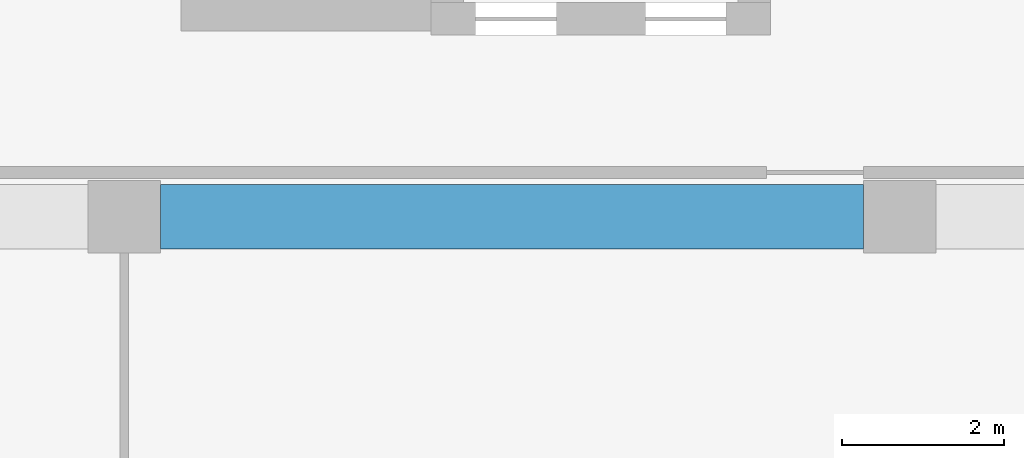
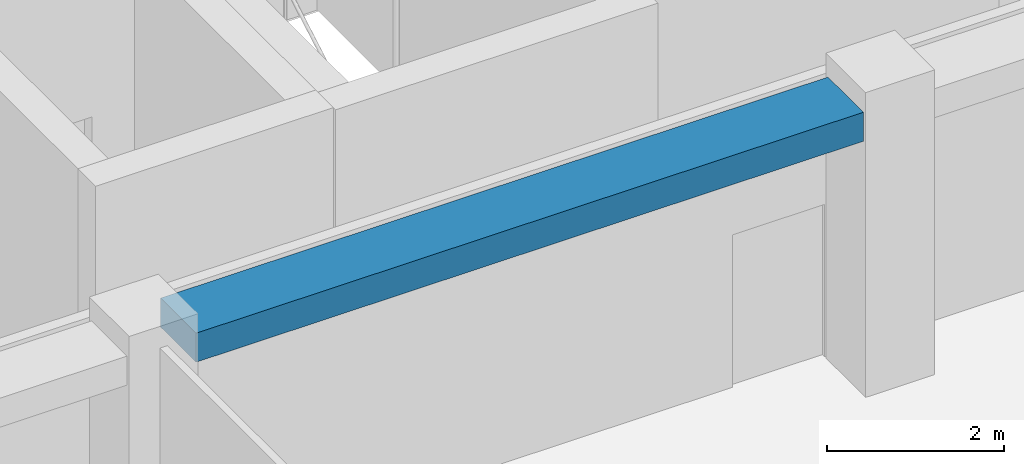
# One storey, part 5 of 72: 1 beam.
"""IFC4 building model written with IfcOpenShell, lengths in metres."""

from ifc_helpers import new_model, si_unit, direction, frame, origin, origin_2d, place, context, subcontext, project, spatial, rectangle, extrude, material, material_profile, profile_set, type_object, element, save


model = new_model("IFC4")

# Units and contexts
model_context = context("Model", 3, precision=1e-05, world=origin(), true_north=direction((0.0, 1.0)))
body_context = subcontext(model_context, "Body", "Model", "MODEL_VIEW")
ifc_project = project(units=[si_unit("LENGTHUNIT", "METRE"), si_unit("AREAUNIT", "SQUARE_METRE"), si_unit("VOLUMEUNIT", "CUBIC_METRE"), si_unit("PLANEANGLEUNIT", "RADIAN"), si_unit("MASSUNIT", "GRAM", prefix="KILO")], contexts=[model_context])

# Site, building, storey
site_placement = place(None, origin())
site = spatial("IfcSite", under=ifc_project, at=site_placement, CompositionType="ELEMENT")
building_placement = place(site_placement, origin())
building = spatial("IfcBuilding", under=site, at=building_placement, Name="Nzadi Deep Aquarium and Research Tower", CompositionType="ELEMENT")
storey_placement = place(building_placement, frame((0.0, 0.0, 31.89990234375)))
storey = spatial("IfcBuildingStorey", under=building, at=storey_placement, Name="L05", CompositionType="ELEMENT", Elevation=31.89990234375)

# Beam
ifc_material = material(Name="Concrete C35/45", Category="concrete")
ifc_material_profile = material_profile(ifc_material, rectangle(XDim=0.800048828125, YDim=0.39990234375, at=origin_2d()))
ifc_profile_set = profile_set([ifc_material_profile], Name="Concrete C35/45")
beam_type = type_object("IfcBeamType", Name="RC 800x400", PredefinedType="BEAM", material=ifc_profile_set)
beam_placement = place(storey_placement, frame((19.64990234375, 9.199951171875, 3.7001953125), z_axis=(1.0, 0.0, 0.0), x_axis=(0.0, 1.0, 0.0)))
element("IfcBeam", 1, at=beam_placement, inside=storey, type_object=beam_type, Name="B-Z1-L05-L2-3", PredefinedType="BEAM", context=body_context, shape_type="SweptSolid", body=[
    extrude(rectangle(XDim=0.800048828125, YDim=0.39990234375, at=origin_2d()), origin(), (0.0, 0.0, 1.0), 8.7001953125),
])

save(model, "model.ifc")
